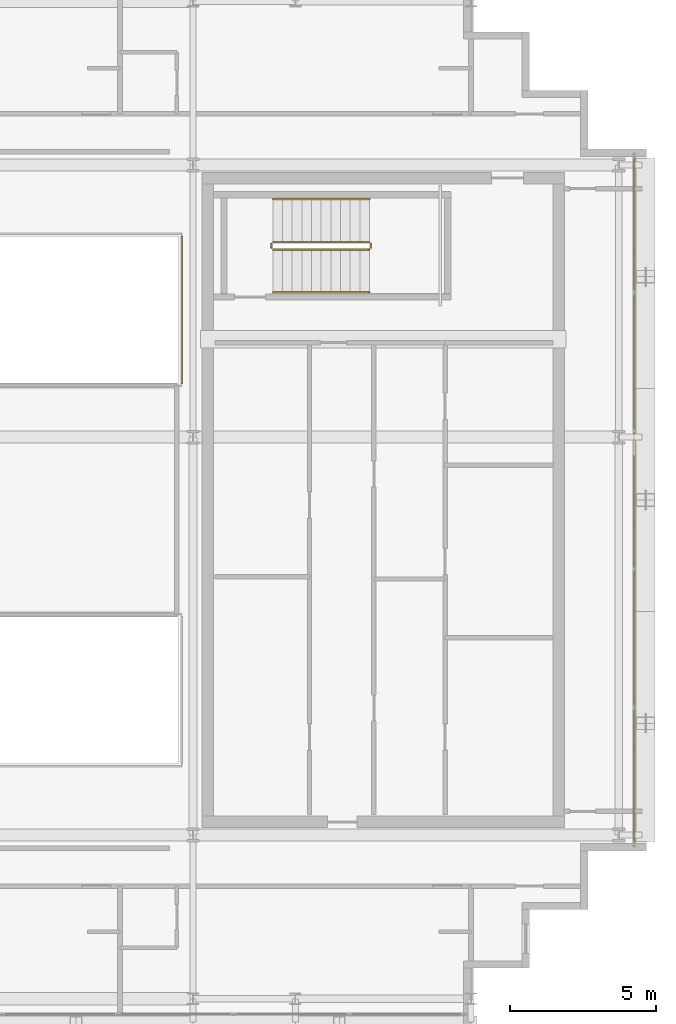
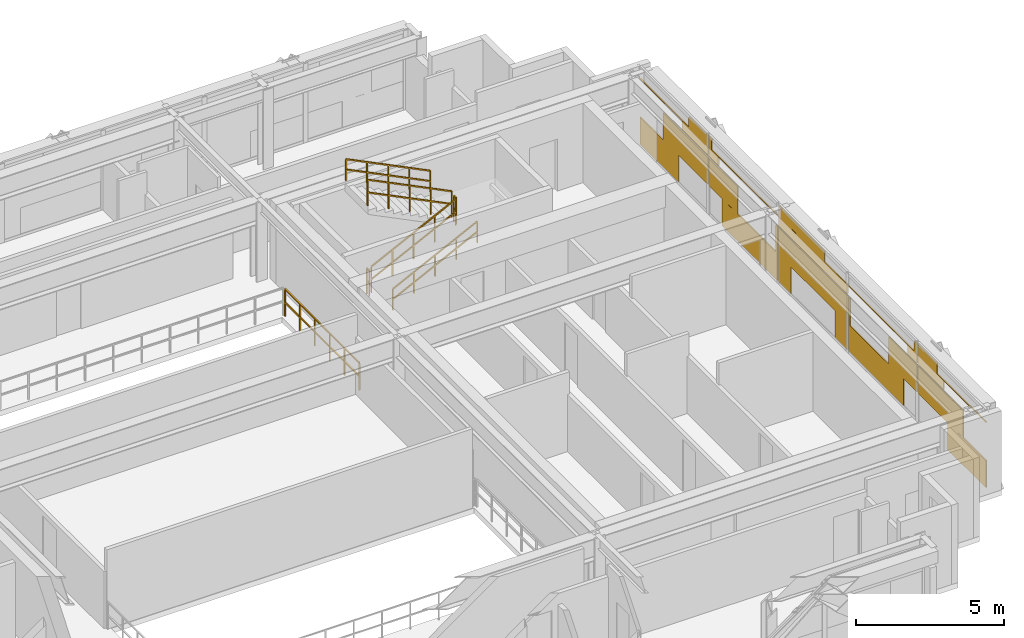
# One storey, part 27 of 28: 7 railings, 1 covering.
"""IFC4 building model written with IfcOpenShell, lengths in metres."""

from ifc_helpers import new_model, si_unit, direction, frame, origin, origin_2d, place, context, subcontext, project, spatial, rectangle, extrude, material, layer, layer_set, type_object, element, save


model = new_model("IFC4")

# Units and contexts
model_context = context("Model", 3, precision=1e-05, world=origin(), true_north=direction((0.0, 1.0)))
body_context = subcontext(model_context, "Body", "Model", "MODEL_VIEW")
ifc_project = project(units=[si_unit("LENGTHUNIT", "METRE"), si_unit("AREAUNIT", "SQUARE_METRE"), si_unit("VOLUMEUNIT", "CUBIC_METRE"), si_unit("PLANEANGLEUNIT", "RADIAN"), si_unit("MASSUNIT", "GRAM", prefix="KILO")], contexts=[model_context])

# Site, building, storey
site_placement = place(None, origin())
site = spatial("IfcSite", under=ifc_project, at=site_placement, CompositionType="ELEMENT")
building_placement = place(site_placement, origin())
building = spatial("IfcBuilding", under=site, at=building_placement, Name="Ocotamira Hotel", CompositionType="ELEMENT")
storey_placement = place(building_placement, frame((0.0, 0.0, 243.60009765625)))
storey = spatial("IfcBuildingStorey", under=building, at=storey_placement, Name="L61", CompositionType="ELEMENT", Elevation=243.60009765625)

# Covering
ifc_material_1 = material(Name="Insulated pale-metal aluminium spandrel panel", Category="aluminium")
ifc_layer = layer(ifc_material_1, 0.044921875)
ifc_layer_set = layer_set([ifc_layer], Name="Insulated pale-metal aluminium spandrel panel")
covering_type = type_object("IfcCoveringType", Name="COV-INFILL-45", PredefinedType="CLADDING", material=ifc_layer_set)
covering_placement = place(storey_placement, origin())
element("IfcCovering", 1, at=covering_placement, inside=storey, type_object=covering_type, Name="L61 Curtain Wall Infill CW-5 CW-L61-E", PredefinedType="CLADDING", context=body_context, shape_type="SweptSolid", body=[
    extrude(rectangle(XDim=2.60107421875, YDim=0.044921875, at=origin_2d()), frame((55.580078125, 15.5810546875, 0.075439453125), z_axis=(0.0, 0.0, 1.0), x_axis=(0.0, 1.0, 0.0)), (0.0, 0.0, 1.0), 1.11767578125),
    extrude(rectangle(XDim=3.03271484375, YDim=0.044921875, at=origin_2d()), frame((55.580078125, 17.36328125, 1.19384765625), z_axis=(0.0, 0.0, 1.0), x_axis=(0.0, 1.0, 0.0)), (0.0, 0.0, 1.0), 1.117919921875),
    extrude(rectangle(XDim=4.59912109375, YDim=0.044921875, at=origin_2d()), frame((55.580078125, 16.580078125, 2.76171875), z_axis=(0.0, 0.0, 1.0), x_axis=(0.0, 1.0, 0.0)), (0.0, 0.0, 1.0), 0.026611328125),
    extrude(rectangle(XDim=1.73095703125, YDim=0.044921875, at=origin_2d()), frame((55.580078125, 18.01416015625, 2.3876953125), z_axis=(0.0, 0.0, 1.0), x_axis=(0.0, 1.0, 0.0)), (0.0, 0.0, 1.0), 0.372802734375),
    extrude(rectangle(XDim=1.293212890625, YDim=0.044921875, at=origin_2d()), frame((55.580078125, 18.23291015625, 2.789306640625), z_axis=(0.0, 0.0, 1.0), x_axis=(0.0, 1.0, 0.0)), (0.0, 0.0, 1.0), 0.4150390625),
    extrude(rectangle(XDim=1.92578125, YDim=0.044921875, at=origin_2d()), frame((55.580078125, 19.92333984375, 1.19384765625), z_axis=(0.0, 0.0, 1.0), x_axis=(0.0, 1.0, 0.0)), (0.0, 0.0, 1.0), 1.117919921875),
    extrude(rectangle(XDim=3.747802734375, YDim=0.044921875, at=origin_2d()), frame((55.580078125, 21.7255859375, 0.075439453125), z_axis=(0.0, 0.0, 1.0), x_axis=(0.0, 1.0, 0.0)), (0.0, 0.0, 1.0), 1.11767578125),
    extrude(rectangle(XDim=0.119384765625, YDim=0.044921875, at=origin_2d()), frame((55.580078125, 23.539794921875, 1.19384765625), z_axis=(0.0, 0.0, 1.0), x_axis=(0.0, 1.0, 0.0)), (0.0, 0.0, 1.0), 1.117919921875),
    extrude(rectangle(XDim=0.6240234375, YDim=0.044921875, at=origin_2d()), frame((55.580078125, 19.2724609375, 2.3876953125), z_axis=(0.0, 0.0, 1.0), x_axis=(0.0, 1.0, 0.0)), (0.0, 0.0, 1.0), 0.372802734375),
    extrude(rectangle(XDim=4.638916015625, YDim=0.044921875, at=origin_2d()), frame((55.580078125, 21.280029296875, 2.76171875), z_axis=(0.0, 0.0, 1.0), x_axis=(0.0, 1.0, 0.0)), (0.0, 0.0, 1.0), 0.026611328125),
    extrude(rectangle(XDim=0.186279296875, YDim=0.044921875, at=origin_2d()), frame((55.580078125, 19.0537109375, 2.789306640625), z_axis=(0.0, 0.0, 1.0), x_axis=(0.0, 1.0, 0.0)), (0.0, 0.0, 1.0), 0.4150390625),
    extrude(rectangle(XDim=0.83447265625, YDim=0.044921875, at=origin_2d()), frame((55.580078125, 24.09765625, 0.075439453125), z_axis=(0.0, 0.0, 1.0), x_axis=(0.0, 1.0, 0.0)), (0.0, 0.0, 1.0), 1.11767578125),
    extrude(rectangle(XDim=4.638916015625, YDim=0.044921875, at=origin_2d()), frame((55.580078125, 26.0, 1.19384765625), z_axis=(0.0, 0.0, 1.0), x_axis=(0.0, 1.0, 0.0)), (0.0, 0.0, 1.0), 1.117919921875),
    extrude(rectangle(XDim=0.83447265625, YDim=0.044921875, at=origin_2d()), frame((55.580078125, 27.90234375, 0.075439453125), z_axis=(0.0, 0.0, 1.0), x_axis=(0.0, 1.0, 0.0)), (0.0, 0.0, 1.0), 1.11767578125),
    extrude(rectangle(XDim=4.638916015625, YDim=0.044921875, at=origin_2d()), frame((55.580078125, 26.0, 2.387939453125), z_axis=(0.0, 0.0, 1.0), x_axis=(0.0, 1.0, 0.0)), (0.0, 0.0, 1.0), 0.400390625),
    extrude(rectangle(XDim=3.099609375, YDim=0.044921875, at=origin_2d()), frame((55.580078125, 26.76953125, 2.789306640625), z_axis=(0.0, 0.0, 1.0), x_axis=(0.0, 1.0, 0.0)), (0.0, 0.0, 1.0), 0.4150390625),
    extrude(rectangle(XDim=3.747802734375, YDim=0.044921875, at=origin_2d()), frame((55.580078125, 30.2744140625, 0.075439453125), z_axis=(0.0, 0.0, 1.0), x_axis=(0.0, 1.0, 0.0)), (0.0, 0.0, 1.0), 1.11767578125),
    extrude(rectangle(XDim=0.119384765625, YDim=0.044921875, at=origin_2d()), frame((55.580078125, 28.460205078125, 1.19384765625), z_axis=(0.0, 0.0, 1.0), x_axis=(0.0, 1.0, 0.0)), (0.0, 0.0, 1.0), 1.117919921875),
    extrude(rectangle(XDim=1.92578125, YDim=0.044921875, at=origin_2d()), frame((55.580078125, 32.07666015625, 1.19384765625), z_axis=(0.0, 0.0, 1.0), x_axis=(0.0, 1.0, 0.0)), (0.0, 0.0, 1.0), 1.117919921875),
    extrude(rectangle(XDim=4.638916015625, YDim=0.044921875, at=origin_2d()), frame((55.580078125, 30.719970703125, 2.76171875), z_axis=(0.0, 0.0, 1.0), x_axis=(0.0, 1.0, 0.0)), (0.0, 0.0, 1.0), 0.026611328125),
    extrude(rectangle(XDim=0.6240234375, YDim=0.044921875, at=origin_2d()), frame((55.580078125, 32.7275390625, 2.3876953125), z_axis=(0.0, 0.0, 1.0), x_axis=(0.0, 1.0, 0.0)), (0.0, 0.0, 1.0), 0.372802734375),
    extrude(rectangle(XDim=0.186279296875, YDim=0.044921875, at=origin_2d()), frame((55.580078125, 32.9462890625, 2.789306640625), z_axis=(0.0, 0.0, 1.0), x_axis=(0.0, 1.0, 0.0)), (0.0, 0.0, 1.0), 0.4150390625),
    extrude(rectangle(XDim=3.03271484375, YDim=0.044921875, at=origin_2d()), frame((55.580078125, 34.63671875, 1.19384765625), z_axis=(0.0, 0.0, 1.0), x_axis=(0.0, 1.0, 0.0)), (0.0, 0.0, 1.0), 1.117919921875),
    extrude(rectangle(XDim=2.60107421875, YDim=0.044921875, at=origin_2d()), frame((55.580078125, 36.4189453125, 0.075439453125), z_axis=(0.0, 0.0, 1.0), x_axis=(0.0, 1.0, 0.0)), (0.0, 0.0, 1.0), 1.11767578125),
    extrude(rectangle(XDim=1.73095703125, YDim=0.044921875, at=origin_2d()), frame((55.580078125, 33.98583984375, 2.3876953125), z_axis=(0.0, 0.0, 1.0), x_axis=(0.0, 1.0, 0.0)), (0.0, 0.0, 1.0), 0.372802734375),
    extrude(rectangle(XDim=4.59912109375, YDim=0.044921875, at=origin_2d()), frame((55.580078125, 35.419921875, 2.76171875), z_axis=(0.0, 0.0, 1.0), x_axis=(0.0, 1.0, 0.0)), (0.0, 0.0, 1.0), 0.026611328125),
    extrude(rectangle(XDim=1.293212890625, YDim=0.044921875, at=origin_2d()), frame((55.580078125, 33.76708984375, 2.789306640625), z_axis=(0.0, 0.0, 1.0), x_axis=(0.0, 1.0, 0.0)), (0.0, 0.0, 1.0), 0.4150390625),
])

# Railings
ifc_material_2 = material(Name="Painted steel stair guardrail", Category="steel")
railing_type_1 = type_object("IfcRailingType", Name="RL-EDGE-1150", PredefinedType="GUARDRAIL", material=ifc_material_2)
railing_1_placement = place(storey_placement, frame((40.1201171875, 29.97998046875, 0.0)))
element("IfcRailing", 2, at=railing_1_placement, inside=storey, type_object=railing_type_1, Name="L61 Atrium Bridge Lightwell Guard N E", PredefinedType="GUARDRAIL", context=body_context, shape_type="SweptSolid", body=[
    extrude(rectangle(XDim=0.048095703125, YDim=0.048095703125, at=origin_2d()), frame((0.0, 0.0, 1.1259765625), z_axis=(0.0, 1.0, 0.0), x_axis=(-1.0, 0.0, 0.0)), (0.0, 0.0, 1.0), 5.0400390625),
    extrude(rectangle(XDim=0.048095703125, YDim=0.048095703125, at=origin_2d()), frame((0.0, 0.0, 0.574951171875), z_axis=(0.0, 1.0, 0.0), x_axis=(-1.0, 0.0, 0.0)), (0.0, 0.0, 1.0), 5.0400390625),
    extrude(rectangle(XDim=0.0419921875, YDim=0.0419921875, at=origin_2d()), origin(), (0.0, 0.0, 1.0), 1.101806640625),
    extrude(rectangle(XDim=0.0419921875, YDim=0.0419921875, at=origin_2d()), frame((0.0, 1.008056640625, 0.0)), (0.0, 0.0, 1.0), 1.101806640625),
    extrude(rectangle(XDim=0.0419921875, YDim=0.0419921875, at=origin_2d()), frame((0.0, 2.01611328125, 0.0)), (0.0, 0.0, 1.0), 1.101806640625),
    extrude(rectangle(XDim=0.0419921875, YDim=0.0419921875, at=origin_2d()), frame((0.0, 3.02392578125, 0.0)), (0.0, 0.0, 1.0), 1.101806640625),
    extrude(rectangle(XDim=0.0419921875, YDim=0.0419921875, at=origin_2d()), frame((0.0, 4.031982421875, 0.0)), (0.0, 0.0, 1.0), 1.101806640625),
    extrude(rectangle(XDim=0.0419921875, YDim=0.0419921875, at=origin_2d()), frame((0.0, 5.0400390625, 0.0)), (0.0, 0.0, 1.0), 1.101806640625),
])
ifc_material_3 = material(Name="Brushed stainless steel handrail", Category="steel")
railing_type_2 = type_object("IfcRailingType", Name="RL-HAND-900", PredefinedType="HANDRAIL", material=ifc_material_3)
railing_2_placement = place(storey_placement, frame((43.22998046875, 33.10009765625, 0.3271484375)))
element("IfcRailing", 3, at=railing_2_placement, inside=storey, type_object=railing_type_2, Name="L61 ST-4 stair handrail 1", PredefinedType="HANDRAIL", context=body_context, shape_type="SweptSolid", body=[
    extrude(rectangle(XDim=0.048095703125, YDim=0.048095703125, at=origin_2d()), frame((0.0, 0.0, 0.8759765625), z_axis=(0.895893744519, 0.0, 0.4442683857), x_axis=(0.0, 1.0, 0.0)), (0.0, 0.0, 1.0), 3.68359375),
    extrude(rectangle(XDim=0.048095703125, YDim=0.048095703125, at=origin_2d()), frame((0.0, 0.0, 0.449951171875), z_axis=(0.895893744519, 0.0, 0.4442683857), x_axis=(0.0, 1.0, 0.0)), (0.0, 0.0, 1.0), 3.68359375),
    extrude(rectangle(XDim=0.0419921875, YDim=0.0419921875, at=origin_2d()), origin(), (0.0, 0.0, 1.0), 0.851806640625),
    extrude(rectangle(XDim=0.0419921875, YDim=0.0419921875, at=origin_2d()), frame((0.824951171875, 0.0, 0.4091796875)), (0.0, 0.0, 1.0), 0.851806640625),
    extrude(rectangle(XDim=0.0419921875, YDim=0.0419921875, at=origin_2d()), frame((1.64990234375, 0.0, 0.818359375)), (0.0, 0.0, 1.0), 0.851806640625),
    extrude(rectangle(XDim=0.0419921875, YDim=0.0419921875, at=origin_2d()), frame((2.47509765625, 0.0, 1.227294921875)), (0.0, 0.0, 1.0), 0.851806640625),
    extrude(rectangle(XDim=0.0419921875, YDim=0.0419921875, at=origin_2d()), frame((3.300048828125, 0.0, 1.636474609375)), (0.0, 0.0, 1.0), 0.851806640625),
])
railing_3_placement = place(storey_placement, frame((46.530029296875, 36.280029296875, 2.127197265625)))
element("IfcRailing", 4, at=railing_3_placement, inside=storey, type_object=railing_type_2, Name="L61 ST-4 stair handrail 2", PredefinedType="HANDRAIL", context=body_context, shape_type="SweptSolid", body=[
    extrude(rectangle(XDim=0.048095703125, YDim=0.048095703125, at=origin_2d()), frame((0.0, 0.0, 0.8759765625), z_axis=(-0.895920123917, 0.0, 0.444215186098), x_axis=(0.0, -1.0, 0.0)), (0.0, 0.0, 1.0), 3.683349609375),
    extrude(rectangle(XDim=0.048095703125, YDim=0.048095703125, at=origin_2d()), frame((0.0, 0.0, 0.449951171875), z_axis=(-0.895920123917, 0.0, 0.444215186098), x_axis=(0.0, -1.0, 0.0)), (0.0, 0.0, 1.0), 3.683349609375),
    extrude(rectangle(XDim=0.0419921875, YDim=0.0419921875, at=origin_2d()), origin(), (0.0, 0.0, 1.0), 0.851806640625),
    extrude(rectangle(XDim=0.0419921875, YDim=0.0419921875, at=origin_2d()), frame((-0.824951171875, 0.0, 0.4091796875)), (0.0, 0.0, 1.0), 0.851806640625),
    extrude(rectangle(XDim=0.0419921875, YDim=0.0419921875, at=origin_2d()), frame((-1.64990234375, 0.0, 0.818115234375)), (0.0, 0.0, 1.0), 0.851806640625),
    extrude(rectangle(XDim=0.0419921875, YDim=0.0419921875, at=origin_2d()), frame((-2.47509765625, 0.0, 1.22705078125)), (0.0, 0.0, 1.0), 0.851806640625),
    extrude(rectangle(XDim=0.0419921875, YDim=0.0419921875, at=origin_2d()), frame((-3.300048828125, 0.0, 1.63623046875)), (0.0, 0.0, 1.0), 0.851806640625),
])
railing_type_3 = type_object("IfcRailingType", Name="RL-STAIR-1100", PredefinedType="GUARDRAIL", material=ifc_material_2)
railing_4_placement = place(storey_placement, frame((43.22998046875, 34.56005859375, 0.16357421875)))
element("IfcRailing", 5, at=railing_4_placement, inside=storey, type_object=railing_type_3, Name="L61 ST-4 stair guard 1", PredefinedType="GUARDRAIL", context=body_context, shape_type="SweptSolid", body=[
    extrude(rectangle(XDim=0.048095703125, YDim=0.048095703125, at=origin_2d()), frame((0.0, 0.0, 1.076171875), z_axis=(0.895920123917, 0.0, 0.444215186098), x_axis=(0.0, 1.0, 0.0)), (0.0, 0.0, 1.0), 3.683349609375),
    extrude(rectangle(XDim=0.048095703125, YDim=0.048095703125, at=origin_2d()), frame((0.0, 0.0, 0.550048828125), z_axis=(0.895920123917, 0.0, 0.444215186098), x_axis=(0.0, 1.0, 0.0)), (0.0, 0.0, 1.0), 3.683349609375),
    extrude(rectangle(XDim=0.0419921875, YDim=0.0419921875, at=origin_2d()), origin(), (0.0, 0.0, 1.0), 1.052001953125),
    extrude(rectangle(XDim=0.0419921875, YDim=0.0419921875, at=origin_2d()), frame((0.824951171875, 0.0, 0.4091796875)), (0.0, 0.0, 1.0), 1.052001953125),
    extrude(rectangle(XDim=0.0419921875, YDim=0.0419921875, at=origin_2d()), frame((1.64990234375, 0.0, 0.818115234375)), (0.0, 0.0, 1.0), 1.052001953125),
    extrude(rectangle(XDim=0.0419921875, YDim=0.0419921875, at=origin_2d()), frame((2.47509765625, 0.0, 1.22705078125)), (0.0, 0.0, 1.0), 1.052001953125),
    extrude(rectangle(XDim=0.0419921875, YDim=0.0419921875, at=origin_2d()), frame((3.300048828125, 0.0, 1.63623046875)), (0.0, 0.0, 1.0), 1.052001953125),
])
railing_5_placement = place(storey_placement, frame((46.580078125, 34.610107421875, 1.7998046875)))
element("IfcRailing", 6, at=railing_5_placement, inside=storey, type_object=railing_type_3, Name="L61 ST-4 stair guard 2", PredefinedType="GUARDRAIL", context=body_context, shape_type="SweptSolid", body=[
    extrude(rectangle(XDim=0.048095703125, YDim=0.048095703125, at=origin_2d()), frame((0.0, 0.0, 1.076171875), z_axis=(0.0, 1.0, 0.0), x_axis=(-1.0, 0.0, 0.0)), (0.0, 0.0, 1.0), 0.159912109375),
    extrude(rectangle(XDim=0.048095703125, YDim=0.048095703125, at=origin_2d()), frame((0.0, 0.0, 0.550048828125), z_axis=(0.0, 1.0, 0.0), x_axis=(-1.0, 0.0, 0.0)), (0.0, 0.0, 1.0), 0.159912109375),
    extrude(rectangle(XDim=0.0419921875, YDim=0.0419921875, at=origin_2d()), origin(), (0.0, 0.0, 1.0), 1.052001953125),
    extrude(rectangle(XDim=0.0419921875, YDim=0.0419921875, at=origin_2d()), frame((0.0, 0.159912109375, 0.0)), (0.0, 0.0, 1.0), 1.052001953125),
])
railing_6_placement = place(storey_placement, frame((46.530029296875, 34.820068359375, 1.963623046875)))
element("IfcRailing", 7, at=railing_6_placement, inside=storey, type_object=railing_type_3, Name="L61 ST-4 stair guard 3", PredefinedType="GUARDRAIL", context=body_context, shape_type="SweptSolid", body=[
    extrude(rectangle(XDim=0.048095703125, YDim=0.048095703125, at=origin_2d()), frame((0.0, 0.0, 1.076171875), z_axis=(-0.895920123917, 0.0, 0.444215186098), x_axis=(0.0, -1.0, 0.0)), (0.0, 0.0, 1.0), 3.683349609375),
    extrude(rectangle(XDim=0.048095703125, YDim=0.048095703125, at=origin_2d()), frame((0.0, 0.0, 0.550048828125), z_axis=(-0.895920123917, 0.0, 0.444215186098), x_axis=(0.0, -1.0, 0.0)), (0.0, 0.0, 1.0), 3.683349609375),
    extrude(rectangle(XDim=0.0419921875, YDim=0.0419921875, at=origin_2d()), origin(), (0.0, 0.0, 1.0), 1.052001953125),
    extrude(rectangle(XDim=0.0419921875, YDim=0.0419921875, at=origin_2d()), frame((-0.824951171875, 0.0, 0.4091796875)), (0.0, 0.0, 1.0), 1.052001953125),
    extrude(rectangle(XDim=0.0419921875, YDim=0.0419921875, at=origin_2d()), frame((-1.64990234375, 0.0, 0.818115234375)), (0.0, 0.0, 1.0), 1.052001953125),
    extrude(rectangle(XDim=0.0419921875, YDim=0.0419921875, at=origin_2d()), frame((-2.47509765625, 0.0, 1.22705078125)), (0.0, 0.0, 1.0), 1.052001953125),
    extrude(rectangle(XDim=0.0419921875, YDim=0.0419921875, at=origin_2d()), frame((-3.300048828125, 0.0, 1.63623046875)), (0.0, 0.0, 1.0), 1.052001953125),
])
railing_7_placement = place(storey_placement, frame((43.179931640625, 34.610107421875, 0.0)))
element("IfcRailing", 8, at=railing_7_placement, inside=storey, type_object=railing_type_3, Name="L61 ST-4 stair guard 4", PredefinedType="GUARDRAIL", context=body_context, shape_type="SweptSolid", body=[
    extrude(rectangle(XDim=0.048095703125, YDim=0.048095703125, at=origin_2d()), frame((0.0, 0.0, 1.076171875), z_axis=(0.0, 1.0, 0.0), x_axis=(-1.0, 0.0, 0.0)), (0.0, 0.0, 1.0), 0.159912109375),
    extrude(rectangle(XDim=0.048095703125, YDim=0.048095703125, at=origin_2d()), frame((0.0, 0.0, 0.550048828125), z_axis=(0.0, 1.0, 0.0), x_axis=(-1.0, 0.0, 0.0)), (0.0, 0.0, 1.0), 0.159912109375),
    extrude(rectangle(XDim=0.0419921875, YDim=0.0419921875, at=origin_2d()), origin(), (0.0, 0.0, 1.0), 1.052001953125),
    extrude(rectangle(XDim=0.0419921875, YDim=0.0419921875, at=origin_2d()), frame((0.0, 0.159912109375, 0.0)), (0.0, 0.0, 1.0), 1.052001953125),
])

save(model, "model.ifc")
